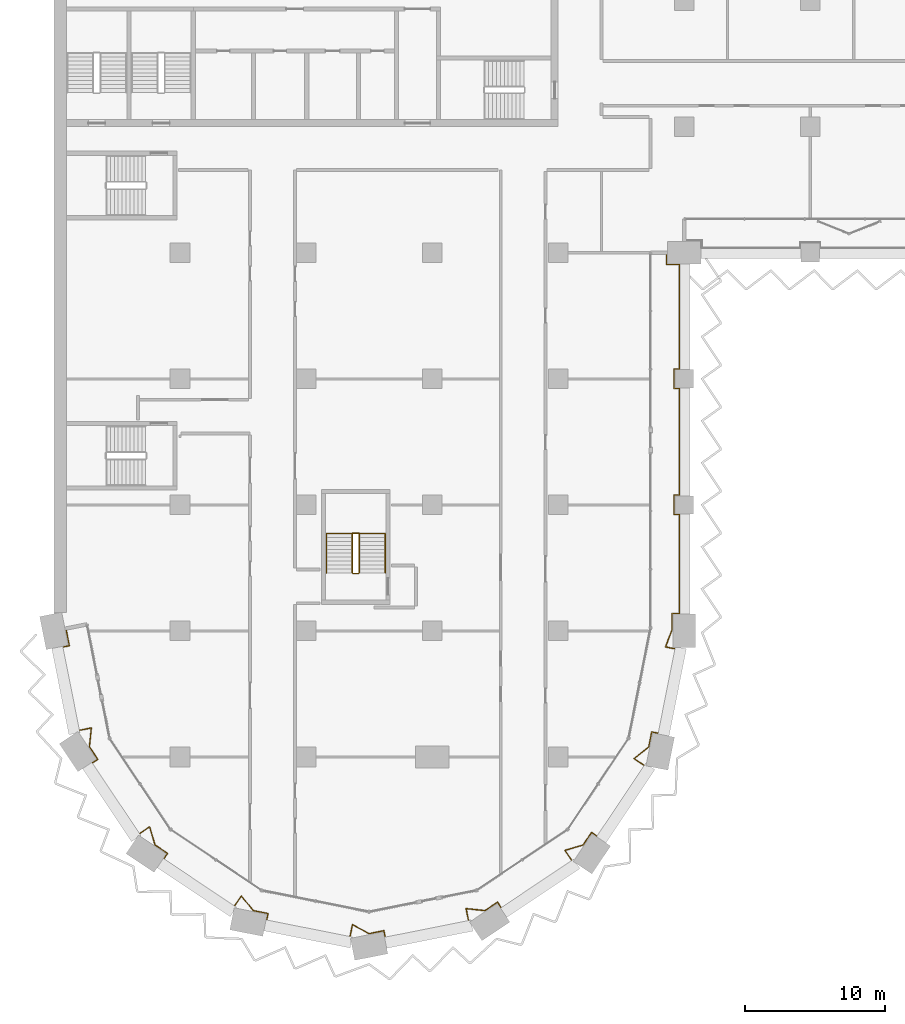
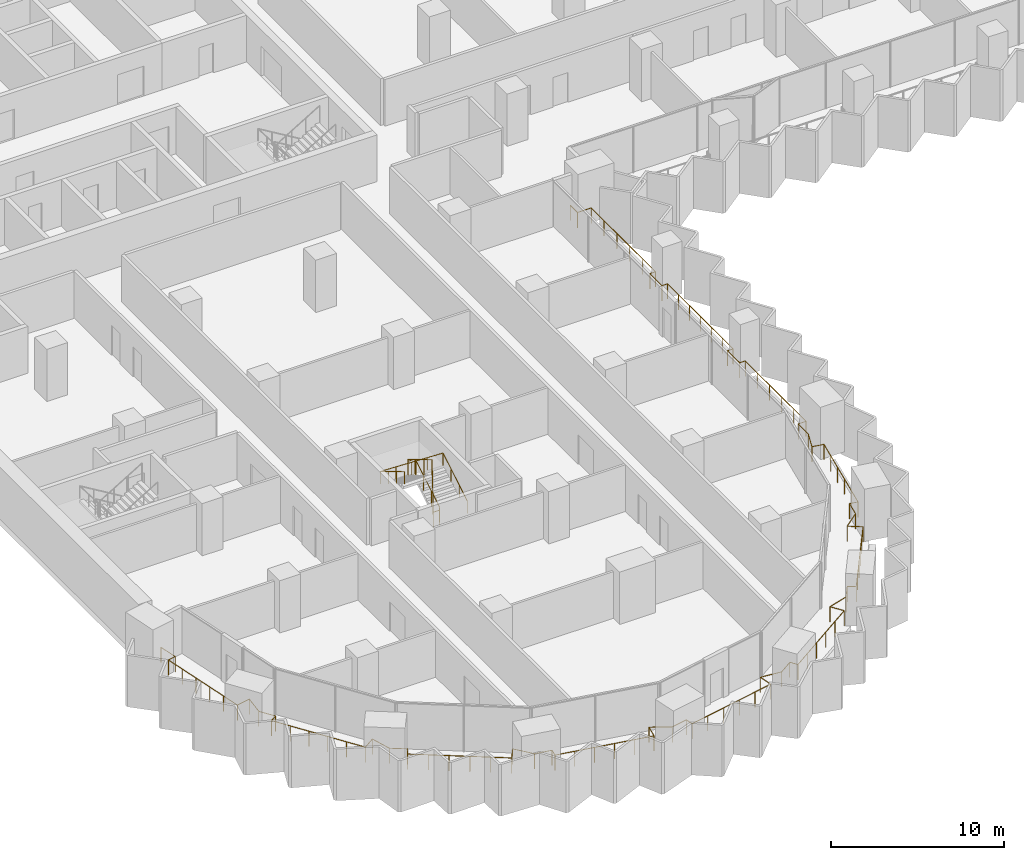
# One storey, part 24 of 28: 3 railings.
"""IFC4 building model written with IfcOpenShell, lengths in metres."""

from ifc_helpers import new_model, si_unit, direction, frame, origin, origin_2d, place, context, subcontext, project, spatial, circle, extrude, material, type_object, element, save


model = new_model("IFC4")

# Units and contexts
model_context = context("Model", 3, precision=1e-05, world=origin(), true_north=direction((0.0, 1.0)))
body_context = subcontext(model_context, "Body", "Model", "MODEL_VIEW")
ifc_project = project(units=[si_unit("LENGTHUNIT", "METRE"), si_unit("AREAUNIT", "SQUARE_METRE"), si_unit("VOLUMEUNIT", "CUBIC_METRE"), si_unit("PLANEANGLEUNIT", "RADIAN"), si_unit("MASSUNIT", "GRAM", prefix="KILO")], contexts=[model_context])

# Site, building, storey
site_placement = place(None, origin())
site = spatial("IfcSite", under=ifc_project, at=site_placement, CompositionType="ELEMENT")
building_placement = place(site_placement, origin())
building = spatial("IfcBuilding", under=site, at=building_placement, Name="Hunhe Ridgeline Campus", CompositionType="ELEMENT")
storey_placement = place(building_placement, frame((0.0, 0.0, 39.5)))
storey = spatial("IfcBuildingStorey", under=building, at=storey_placement, Name="L08", CompositionType="ELEMENT", Elevation=39.5)

# Railings
ifc_material_1 = material(Name="Steel Q355", Category="steel")
railing_type_1 = type_object("IfcRailingType", Name="Loggia guard 1100 Steel Q355", PredefinedType="GUARDRAIL", material=ifc_material_1)
railing_1_placement = place(storey_placement, frame((0.853271484375, 27.169677734375, 0.0)))
element("IfcRailing", 1, at=railing_1_placement, inside=storey, type_object=railing_type_1, Name="Loggia guard 1", PredefinedType="GUARDRAIL", context=body_context, shape_type="SweptSolid", body=[
    extrude(circle(Radius=0.02392578125, at=origin_2d()), frame((0.0, 0.0, 1.076171875), z_axis=(0.195139364365, -0.980775523999, 0.0), x_axis=(0.980775523999, 0.195139364365, 0.0)), (0.0, 0.0, 1.0), 1.249755859375),
    extrude(circle(Radius=0.02392578125, at=origin_2d()), frame((0.243896484375, -1.225830078125, 1.076171875), z_axis=(-0.980742851189, -0.195303506986, 0.0), x_axis=(0.195303506986, -0.980742851189, 0.0)), (0.0, 0.0, 1.0), 0.52001953125),
    extrude(circle(Radius=0.02392578125, at=origin_2d()), frame((-0.26611328125, -1.327392578125, 1.076171875), z_axis=(0.195094074844, -0.980784533912, 0.0), x_axis=(0.980784533912, 0.195094074844, 0.0)), (0.0, 0.0, 1.0), 6.064208984375),
    extrude(circle(Radius=0.02392578125, at=origin_2d()), frame((0.9169921875, -7.275146484375, 1.076171875), z_axis=(0.980774480174, 0.195144610585, 0.0), x_axis=(-0.195144610585, 0.980774480174, 0.0)), (0.0, 0.0, 1.0), 0.918212890625),
    extrude(circle(Radius=0.02392578125, at=origin_2d()), frame((1.817626953125, -7.095947265625, 1.076171875), z_axis=(-0.102578746514, -0.994724886973, 0.0), x_axis=(0.994724886973, -0.102578746514, 0.0)), (0.0, 0.0, 1.0), 1.351806640625),
    extrude(circle(Radius=0.02392578125, at=origin_2d()), frame((1.678955078125, -8.440673828125, 1.076171875), z_axis=(0.555693885997, -0.831386976724, 0.0), x_axis=(0.831386976724, 0.555693885997, 0.0)), (0.0, 0.0, 1.0), 1.076904296875),
    extrude(circle(Radius=0.02392578125, at=origin_2d()), frame((2.27734375, -9.3359375, 1.076171875), z_axis=(-0.831327417949, -0.555782982977, 0.0), x_axis=(0.555782982977, -0.831327417949, 0.0)), (0.0, 0.0, 1.0), 0.52001953125),
    extrude(circle(Radius=0.02392578125, at=origin_2d()), frame((1.844970703125, -9.625, 1.076171875), z_axis=(0.55557319973, -0.831467630002, 0.0), x_axis=(0.831467630002, 0.55557319973, 0.0)), (0.0, 0.0, 1.0), 6.064208984375),
    extrude(circle(Radius=0.02392578125, at=origin_2d()), frame((5.214111328125, -14.667236328125, 1.076171875), z_axis=(0.831395250422, 0.555681507318, 0.0), x_axis=(-0.555681507318, 0.831395250422, 0.0)), (0.0, 0.0, 1.0), 0.918212890625),
    extrude(circle(Radius=0.02392578125, at=origin_2d()), frame((5.9775390625, -14.156982421875, 1.076171875), z_axis=(0.285889499126, -0.958262591511, 0.0), x_axis=(0.958262591511, 0.285889499126, 0.0)), (0.0, 0.0, 1.0), 1.351806640625),
    extrude(circle(Radius=0.02392578125, at=origin_2d()), frame((6.364013671875, -15.452392578125, 1.076171875), z_axis=(0.831456967492, -0.555589156849, 0.0), x_axis=(0.555589156849, 0.831456967492, 0.0)), (0.0, 0.0, 1.0), 1.0771484375),
    extrude(circle(Radius=0.02392578125, at=origin_2d()), frame((7.259521484375, -16.05078125, 1.076171875), z_axis=(-0.555675381322, -0.831399344835, 0.0), x_axis=(0.831399344835, -0.555675381322, 0.0)), (0.0, 0.0, 1.0), 0.519775390625),
    extrude(circle(Radius=0.02392578125, at=origin_2d()), frame((6.970703125, -16.48291015625, 1.076171875), z_axis=(0.831467630002, -0.55557319973, 0.0), x_axis=(0.55557319973, 0.831467630002, 0.0)), (0.0, 0.0, 1.0), 6.064208984375),
    extrude(circle(Radius=0.02392578125, at=origin_2d()), frame((12.012939453125, -19.85205078125, 1.076171875), z_axis=(0.555497688072, 0.831518080709, 0.0), x_axis=(-0.831518080709, 0.555497688072, 0.0)), (0.0, 0.0, 1.0), 0.918212890625),
    extrude(circle(Radius=0.02392578125, at=origin_2d()), frame((12.52294921875, -19.088623046875, 1.076171875), z_axis=(0.630864561128, -0.775892972976, 0.0), x_axis=(0.775892972976, 0.630864561128, 0.0)), (0.0, 0.0, 1.0), 1.351806640625),
    extrude(circle(Radius=0.02392578125, at=origin_2d()), frame((13.375732421875, -20.137451171875, 1.076171875), z_axis=(0.980771998786, -0.195157081339, 0.0), x_axis=(0.195157081339, 0.980771998786, 0.0)), (0.0, 0.0, 1.0), 1.0771484375),
    extrude(circle(Radius=0.02392578125, at=origin_2d()), frame((14.43212890625, -20.34765625, 1.076171875), z_axis=(-0.195303506986, -0.980742851189, 0.0), x_axis=(0.980742851189, -0.195303506986, 0.0)), (0.0, 0.0, 1.0), 0.52001953125),
    extrude(circle(Radius=0.02392578125, at=origin_2d()), frame((14.33056640625, -20.857666015625, 1.076171875), z_axis=(0.980792236535, -0.195055347919, 0.0), x_axis=(0.195055347919, 0.980792236535, 0.0)), (0.0, 0.0, 1.0), 6.064208984375),
    extrude(circle(Radius=0.02392578125, at=origin_2d()), frame((20.2783203125, -22.04052734375, 1.076171875), z_axis=(0.195144610585, 0.980774480174, 0.0), x_axis=(-0.980774480174, 0.195144610585, 0.0)), (0.0, 0.0, 1.0), 0.918212890625),
    extrude(circle(Radius=0.02392578125, at=origin_2d()), frame((20.45751953125, -21.139892578125, 1.076171875), z_axis=(0.879704471732, -0.475520811757, 0.0), x_axis=(0.475520811757, 0.879704471732, 0.0)), (0.0, 0.0, 1.0), 1.351806640625),
    extrude(circle(Radius=0.02392578125, at=origin_2d()), frame((21.646728515625, -21.78271484375, 1.076171875), z_axis=(0.980763363144, 0.195200475189, 0.0), x_axis=(-0.195200475189, 0.980763363144, 0.0)), (0.0, 0.0, 1.0), 1.076904296875),
    extrude(circle(Radius=0.02392578125, at=origin_2d()), frame((22.702880859375, -21.572509765625, 1.076171875), z_axis=(0.195303506986, -0.980742851189, 0.0), x_axis=(0.980742851189, 0.195303506986, 0.0)), (0.0, 0.0, 1.0), 0.52001953125),
    extrude(circle(Radius=0.02392578125, at=origin_2d()), frame((22.804443359375, -22.08251953125, 1.076171875), z_axis=(0.980784533912, 0.195094074844, 0.0), x_axis=(-0.195094074844, 0.980784533912, 0.0)), (0.0, 0.0, 1.0), 6.064208984375),
    extrude(circle(Radius=0.02392578125, at=origin_2d()), frame((28.752197265625, -20.8994140625, 1.076171875), z_axis=(-0.195144610585, 0.980774480174, 0.0), x_axis=(-0.980774480174, -0.195144610585, 0.0)), (0.0, 0.0, 1.0), 0.918212890625),
    extrude(circle(Radius=0.02392578125, at=origin_2d()), frame((28.572998046875, -19.998779296875, 1.076171875), z_axis=(0.994724886973, -0.102578746514, 0.0), x_axis=(0.102578746514, 0.994724886973, 0.0)), (0.0, 0.0, 1.0), 1.351806640625),
    extrude(circle(Radius=0.02392578125, at=origin_2d()), frame((29.917724609375, -20.137451171875, 1.076171875), z_axis=(0.831386976724, 0.555693885997, 0.0), x_axis=(-0.555693885997, 0.831386976724, 0.0)), (0.0, 0.0, 1.0), 1.076904296875),
    extrude(circle(Radius=0.02392578125, at=origin_2d()), frame((30.81298828125, -19.5390625, 1.076171875), z_axis=(0.555782982977, -0.831327417949, 0.0), x_axis=(0.831327417949, 0.555782982977, 0.0)), (0.0, 0.0, 1.0), 0.52001953125),
    extrude(circle(Radius=0.02392578125, at=origin_2d()), frame((31.10205078125, -19.971435546875, 1.076171875), z_axis=(0.831467630002, 0.55557319973, 0.0), x_axis=(-0.55557319973, 0.831467630002, 0.0)), (0.0, 0.0, 1.0), 6.064208984375),
    extrude(circle(Radius=0.02392578125, at=origin_2d()), frame((36.144287109375, -16.602294921875, 1.076171875), z_axis=(-0.555681507318, 0.831395250422, 0.0), x_axis=(-0.831395250422, -0.555681507318, 0.0)), (0.0, 0.0, 1.0), 0.918212890625),
    extrude(circle(Radius=0.02392578125, at=origin_2d()), frame((35.634033203125, -15.8388671875, 1.076171875), z_axis=(0.958262591511, 0.285889499126, 0.0), x_axis=(-0.285889499126, 0.958262591511, 0.0)), (0.0, 0.0, 1.0), 1.351806640625),
    extrude(circle(Radius=0.02392578125, at=origin_2d()), frame((36.929443359375, -15.452392578125, 1.076171875), z_axis=(0.555589156849, 0.831456967492, 0.0), x_axis=(-0.831456967492, 0.555589156849, 0.0)), (0.0, 0.0, 1.0), 1.0771484375),
    extrude(circle(Radius=0.02392578125, at=origin_2d()), frame((37.52783203125, -14.556884765625, 1.076171875), z_axis=(0.831399344835, -0.555675381322, 0.0), x_axis=(0.555675381322, 0.831399344835, 0.0)), (0.0, 0.0, 1.0), 0.519775390625),
    extrude(circle(Radius=0.02392578125, at=origin_2d()), frame((37.9599609375, -14.845703125, 1.076171875), z_axis=(0.55557319973, 0.831467630002, 0.0), x_axis=(-0.831467630002, 0.55557319973, 0.0)), (0.0, 0.0, 1.0), 6.064208984375),
    extrude(circle(Radius=0.02392578125, at=origin_2d()), frame((41.3291015625, -9.803466796875, 1.076171875), z_axis=(-0.831518080709, 0.555497688072, 0.0), x_axis=(-0.555497688072, -0.831518080709, 0.0)), (0.0, 0.0, 1.0), 0.918212890625),
    extrude(circle(Radius=0.02392578125, at=origin_2d()), frame((40.565673828125, -9.29345703125, 1.076171875), z_axis=(0.775892972976, 0.630864561128, 0.0), x_axis=(-0.630864561128, 0.775892972976, 0.0)), (0.0, 0.0, 1.0), 1.351806640625),
    extrude(circle(Radius=0.02392578125, at=origin_2d()), frame((41.614501953125, -8.440673828125, 1.076171875), z_axis=(0.195157081339, 0.980771998786, 0.0), x_axis=(-0.980771998786, 0.195157081339, 0.0)), (0.0, 0.0, 1.0), 1.0771484375),
    extrude(circle(Radius=0.02392578125, at=origin_2d()), frame((41.82470703125, -7.38427734375, 1.076171875), z_axis=(0.980742851189, -0.195303506986, 0.0), x_axis=(0.195303506986, 0.980742851189, 0.0)), (0.0, 0.0, 1.0), 0.52001953125),
    extrude(circle(Radius=0.02392578125, at=origin_2d()), frame((42.334716796875, -7.48583984375, 1.076171875), z_axis=(0.19507712928, 0.980787904509, 0.0), x_axis=(-0.980787904509, 0.19507712928, 0.0)), (0.0, 0.0, 1.0), 6.146240234375),
    extrude(circle(Radius=0.02392578125, at=origin_2d()), frame((43.53369140625, -1.457763671875, 1.076171875), z_axis=(-0.980808789294, 0.194972097602, 0.0), x_axis=(-0.194972097602, -0.980808789294, 0.0)), (0.0, 0.0, 1.0), 0.73876953125),
    extrude(circle(Radius=0.02392578125, at=origin_2d()), frame((42.80908203125, -1.313720703125, 1.076171875), z_axis=(0.35537018301, 0.93472564586, 0.0), x_axis=(-0.93472564586, 0.35537018301, 0.0)), (0.0, 0.0, 1.0), 1.315673828125),
    extrude(circle(Radius=0.02392578125, at=origin_2d()), frame((43.276611328125, -0.083984375, 1.076171875), z_axis=(0.0, 1.0, 0.0), x_axis=(-1.0, 0.0, 0.0)), (0.0, 0.0, 1.0), 1.164306640625),
    extrude(circle(Radius=0.02392578125, at=origin_2d()), frame((43.276611328125, 1.080322265625, 1.076171875), z_axis=(1.0, 0.0, 0.0), x_axis=(0.0, 1.0, 0.0)), (0.0, 0.0, 1.0), 0.52001953125),
    extrude(circle(Radius=0.02392578125, at=origin_2d()), frame((43.796630859375, 1.080322265625, 1.076171875), z_axis=(0.0, 1.0, 0.0), x_axis=(-1.0, 0.0, 0.0)), (0.0, 0.0, 1.0), 7.050048828125),
    extrude(circle(Radius=0.02392578125, at=origin_2d()), frame((43.796630859375, 8.13037109375, 1.076171875), z_axis=(-1.0, 0.0, 0.0), x_axis=(0.0, -1.0, 0.0)), (0.0, 0.0, 1.0), 0.369873046875),
    extrude(circle(Radius=0.02392578125, at=origin_2d()), frame((43.4267578125, 8.13037109375, 1.076171875), z_axis=(0.0, 1.0, 0.0), x_axis=(-1.0, 0.0, 0.0)), (0.0, 0.0, 1.0), 1.39990234375),
    extrude(circle(Radius=0.02392578125, at=origin_2d()), frame((43.4267578125, 9.5302734375, 1.076171875), z_axis=(1.0, 0.0, 0.0), x_axis=(0.0, 1.0, 0.0)), (0.0, 0.0, 1.0), 0.369873046875),
    extrude(circle(Radius=0.02392578125, at=origin_2d()), frame((43.796630859375, 9.5302734375, 1.076171875), z_axis=(0.0, 1.0, 0.0), x_axis=(-1.0, 0.0, 0.0)), (0.0, 0.0, 1.0), 7.60009765625),
    extrude(circle(Radius=0.02392578125, at=origin_2d()), frame((43.796630859375, 17.13037109375, 1.076171875), z_axis=(-1.0, 0.0, 0.0), x_axis=(0.0, -1.0, 0.0)), (0.0, 0.0, 1.0), 0.369873046875),
    extrude(circle(Radius=0.02392578125, at=origin_2d()), frame((43.4267578125, 17.13037109375, 1.076171875), z_axis=(0.0, 1.0, 0.0), x_axis=(-1.0, 0.0, 0.0)), (0.0, 0.0, 1.0), 1.39990234375),
    extrude(circle(Radius=0.02392578125, at=origin_2d()), frame((43.4267578125, 18.5302734375, 1.076171875), z_axis=(1.0, 0.0, 0.0), x_axis=(0.0, 1.0, 0.0)), (0.0, 0.0, 1.0), 0.369873046875),
    extrude(circle(Radius=0.02392578125, at=origin_2d()), frame((43.796630859375, 18.5302734375, 1.076171875), z_axis=(0.0, 1.0, 0.0), x_axis=(-1.0, 0.0, 0.0)), (0.0, 0.0, 1.0), 7.449951171875),
    extrude(circle(Radius=0.02392578125, at=origin_2d()), frame((43.796630859375, 25.980224609375, 1.076171875), z_axis=(-1.0, 0.0, 0.0), x_axis=(0.0, -1.0, 0.0)), (0.0, 0.0, 1.0), 0.919921875),
    extrude(circle(Radius=0.02392578125, at=origin_2d()), frame((42.876708984375, 25.980224609375, 1.076171875), z_axis=(0.0, 1.0, 0.0), x_axis=(-1.0, 0.0, 0.0)), (0.0, 0.0, 1.0), 0.85009765625),
    extrude(circle(Radius=0.02099609375, at=origin_2d()), origin(), (0.0, 0.0, 1.0), 1.052001953125),
    extrude(circle(Radius=0.02099609375, at=origin_2d()), frame((0.243896484375, -1.225830078125, 0.0)), (0.0, 0.0, 1.0), 1.052001953125),
    extrude(circle(Radius=0.02099609375, at=origin_2d()), frame((-0.26611328125, -1.327392578125, 0.0)), (0.0, 0.0, 1.0), 1.052001953125),
    extrude(circle(Radius=0.02099609375, at=origin_2d()), frame((-0.029541015625, -2.516845703125, 0.0)), (0.0, 0.0, 1.0), 1.052001953125),
    extrude(circle(Radius=0.02099609375, at=origin_2d()), frame((0.20703125, -3.70654296875, 0.0)), (0.0, 0.0, 1.0), 1.052001953125),
    extrude(circle(Radius=0.02099609375, at=origin_2d()), frame((0.44384765625, -4.89599609375, 0.0)), (0.0, 0.0, 1.0), 1.052001953125),
    extrude(circle(Radius=0.02099609375, at=origin_2d()), frame((0.680419921875, -6.085693359375, 0.0)), (0.0, 0.0, 1.0), 1.052001953125),
    extrude(circle(Radius=0.02099609375, at=origin_2d()), frame((0.9169921875, -7.275146484375, 0.0)), (0.0, 0.0, 1.0), 1.052001953125),
    extrude(circle(Radius=0.02099609375, at=origin_2d()), frame((1.817626953125, -7.095947265625, 0.0)), (0.0, 0.0, 1.0), 1.052001953125),
    extrude(circle(Radius=0.02099609375, at=origin_2d()), frame((1.678955078125, -8.440673828125, 0.0)), (0.0, 0.0, 1.0), 1.052001953125),
    extrude(circle(Radius=0.02099609375, at=origin_2d()), frame((2.27734375, -9.3359375, 0.0)), (0.0, 0.0, 1.0), 1.052001953125),
    extrude(circle(Radius=0.02099609375, at=origin_2d()), frame((1.844970703125, -9.625, 0.0)), (0.0, 0.0, 1.0), 1.052001953125),
    extrude(circle(Radius=0.02099609375, at=origin_2d()), frame((2.518798828125, -10.633544921875, 0.0)), (0.0, 0.0, 1.0), 1.052001953125),
    extrude(circle(Radius=0.02099609375, at=origin_2d()), frame((3.192626953125, -11.641845703125, 0.0)), (0.0, 0.0, 1.0), 1.052001953125),
    extrude(circle(Radius=0.02099609375, at=origin_2d()), frame((3.866455078125, -12.650390625, 0.0)), (0.0, 0.0, 1.0), 1.052001953125),
    extrude(circle(Radius=0.02099609375, at=origin_2d()), frame((4.540283203125, -13.65869140625, 0.0)), (0.0, 0.0, 1.0), 1.052001953125),
    extrude(circle(Radius=0.02099609375, at=origin_2d()), frame((5.214111328125, -14.667236328125, 0.0)), (0.0, 0.0, 1.0), 1.052001953125),
    extrude(circle(Radius=0.02099609375, at=origin_2d()), frame((5.9775390625, -14.156982421875, 0.0)), (0.0, 0.0, 1.0), 1.052001953125),
    extrude(circle(Radius=0.02099609375, at=origin_2d()), frame((6.364013671875, -15.452392578125, 0.0)), (0.0, 0.0, 1.0), 1.052001953125),
    extrude(circle(Radius=0.02099609375, at=origin_2d()), frame((7.259521484375, -16.05078125, 0.0)), (0.0, 0.0, 1.0), 1.052001953125),
    extrude(circle(Radius=0.02099609375, at=origin_2d()), frame((6.970703125, -16.48291015625, 0.0)), (0.0, 0.0, 1.0), 1.052001953125),
    extrude(circle(Radius=0.02099609375, at=origin_2d()), frame((7.979248046875, -17.15673828125, 0.0)), (0.0, 0.0, 1.0), 1.052001953125),
    extrude(circle(Radius=0.02099609375, at=origin_2d()), frame((8.987548828125, -17.83056640625, 0.0)), (0.0, 0.0, 1.0), 1.052001953125),
    extrude(circle(Radius=0.02099609375, at=origin_2d()), frame((9.99609375, -18.50439453125, 0.0)), (0.0, 0.0, 1.0), 1.052001953125),
    extrude(circle(Radius=0.02099609375, at=origin_2d()), frame((11.00439453125, -19.17822265625, 0.0)), (0.0, 0.0, 1.0), 1.052001953125),
    extrude(circle(Radius=0.02099609375, at=origin_2d()), frame((12.012939453125, -19.85205078125, 0.0)), (0.0, 0.0, 1.0), 1.052001953125),
    extrude(circle(Radius=0.02099609375, at=origin_2d()), frame((12.52294921875, -19.088623046875, 0.0)), (0.0, 0.0, 1.0), 1.052001953125),
    extrude(circle(Radius=0.02099609375, at=origin_2d()), frame((13.375732421875, -20.137451171875, 0.0)), (0.0, 0.0, 1.0), 1.052001953125),
    extrude(circle(Radius=0.02099609375, at=origin_2d()), frame((14.43212890625, -20.34765625, 0.0)), (0.0, 0.0, 1.0), 1.052001953125),
    extrude(circle(Radius=0.02099609375, at=origin_2d()), frame((14.33056640625, -20.857666015625, 0.0)), (0.0, 0.0, 1.0), 1.052001953125),
    extrude(circle(Radius=0.02099609375, at=origin_2d()), frame((15.52001953125, -21.09423828125, 0.0)), (0.0, 0.0, 1.0), 1.052001953125),
    extrude(circle(Radius=0.02099609375, at=origin_2d()), frame((16.709716796875, -21.330810546875, 0.0)), (0.0, 0.0, 1.0), 1.052001953125),
    extrude(circle(Radius=0.02099609375, at=origin_2d()), frame((17.899169921875, -21.5673828125, 0.0)), (0.0, 0.0, 1.0), 1.052001953125),
    extrude(circle(Radius=0.02099609375, at=origin_2d()), frame((19.0888671875, -21.803955078125, 0.0)), (0.0, 0.0, 1.0), 1.052001953125),
    extrude(circle(Radius=0.02099609375, at=origin_2d()), frame((20.2783203125, -22.04052734375, 0.0)), (0.0, 0.0, 1.0), 1.052001953125),
    extrude(circle(Radius=0.02099609375, at=origin_2d()), frame((20.45751953125, -21.139892578125, 0.0)), (0.0, 0.0, 1.0), 1.052001953125),
    extrude(circle(Radius=0.02099609375, at=origin_2d()), frame((21.646728515625, -21.78271484375, 0.0)), (0.0, 0.0, 1.0), 1.052001953125),
    extrude(circle(Radius=0.02099609375, at=origin_2d()), frame((22.702880859375, -21.572509765625, 0.0)), (0.0, 0.0, 1.0), 1.052001953125),
    extrude(circle(Radius=0.02099609375, at=origin_2d()), frame((22.804443359375, -22.08251953125, 0.0)), (0.0, 0.0, 1.0), 1.052001953125),
    extrude(circle(Radius=0.02099609375, at=origin_2d()), frame((23.993896484375, -21.845947265625, 0.0)), (0.0, 0.0, 1.0), 1.052001953125),
    extrude(circle(Radius=0.02099609375, at=origin_2d()), frame((25.18359375, -21.609375, 0.0)), (0.0, 0.0, 1.0), 1.052001953125),
    extrude(circle(Radius=0.02099609375, at=origin_2d()), frame((26.373046875, -21.37255859375, 0.0)), (0.0, 0.0, 1.0), 1.052001953125),
    extrude(circle(Radius=0.02099609375, at=origin_2d()), frame((27.562744140625, -21.135986328125, 0.0)), (0.0, 0.0, 1.0), 1.052001953125),
    extrude(circle(Radius=0.02099609375, at=origin_2d()), frame((28.752197265625, -20.8994140625, 0.0)), (0.0, 0.0, 1.0), 1.052001953125),
    extrude(circle(Radius=0.02099609375, at=origin_2d()), frame((28.572998046875, -19.998779296875, 0.0)), (0.0, 0.0, 1.0), 1.052001953125),
    extrude(circle(Radius=0.02099609375, at=origin_2d()), frame((29.917724609375, -20.137451171875, 0.0)), (0.0, 0.0, 1.0), 1.052001953125),
    extrude(circle(Radius=0.02099609375, at=origin_2d()), frame((30.81298828125, -19.5390625, 0.0)), (0.0, 0.0, 1.0), 1.052001953125),
    extrude(circle(Radius=0.02099609375, at=origin_2d()), frame((31.10205078125, -19.971435546875, 0.0)), (0.0, 0.0, 1.0), 1.052001953125),
    extrude(circle(Radius=0.02099609375, at=origin_2d()), frame((32.110595703125, -19.297607421875, 0.0)), (0.0, 0.0, 1.0), 1.052001953125),
    extrude(circle(Radius=0.02099609375, at=origin_2d()), frame((33.118896484375, -18.623779296875, 0.0)), (0.0, 0.0, 1.0), 1.052001953125),
    extrude(circle(Radius=0.02099609375, at=origin_2d()), frame((34.12744140625, -17.949951171875, 0.0)), (0.0, 0.0, 1.0), 1.052001953125),
    extrude(circle(Radius=0.02099609375, at=origin_2d()), frame((35.1357421875, -17.276123046875, 0.0)), (0.0, 0.0, 1.0), 1.052001953125),
    extrude(circle(Radius=0.02099609375, at=origin_2d()), frame((36.144287109375, -16.602294921875, 0.0)), (0.0, 0.0, 1.0), 1.052001953125),
    extrude(circle(Radius=0.02099609375, at=origin_2d()), frame((35.634033203125, -15.8388671875, 0.0)), (0.0, 0.0, 1.0), 1.052001953125),
    extrude(circle(Radius=0.02099609375, at=origin_2d()), frame((36.929443359375, -15.452392578125, 0.0)), (0.0, 0.0, 1.0), 1.052001953125),
    extrude(circle(Radius=0.02099609375, at=origin_2d()), frame((37.52783203125, -14.556884765625, 0.0)), (0.0, 0.0, 1.0), 1.052001953125),
    extrude(circle(Radius=0.02099609375, at=origin_2d()), frame((37.9599609375, -14.845703125, 0.0)), (0.0, 0.0, 1.0), 1.052001953125),
    extrude(circle(Radius=0.02099609375, at=origin_2d()), frame((38.6337890625, -13.837158203125, 0.0)), (0.0, 0.0, 1.0), 1.052001953125),
    extrude(circle(Radius=0.02099609375, at=origin_2d()), frame((39.3076171875, -12.828857421875, 0.0)), (0.0, 0.0, 1.0), 1.052001953125),
    extrude(circle(Radius=0.02099609375, at=origin_2d()), frame((39.9814453125, -11.8203125, 0.0)), (0.0, 0.0, 1.0), 1.052001953125),
    extrude(circle(Radius=0.02099609375, at=origin_2d()), frame((40.6552734375, -10.81201171875, 0.0)), (0.0, 0.0, 1.0), 1.052001953125),
    extrude(circle(Radius=0.02099609375, at=origin_2d()), frame((41.3291015625, -9.803466796875, 0.0)), (0.0, 0.0, 1.0), 1.052001953125),
    extrude(circle(Radius=0.02099609375, at=origin_2d()), frame((40.565673828125, -9.29345703125, 0.0)), (0.0, 0.0, 1.0), 1.052001953125),
    extrude(circle(Radius=0.02099609375, at=origin_2d()), frame((41.614501953125, -8.440673828125, 0.0)), (0.0, 0.0, 1.0), 1.052001953125),
    extrude(circle(Radius=0.02099609375, at=origin_2d()), frame((41.82470703125, -7.38427734375, 0.0)), (0.0, 0.0, 1.0), 1.052001953125),
    extrude(circle(Radius=0.02099609375, at=origin_2d()), frame((42.334716796875, -7.48583984375, 0.0)), (0.0, 0.0, 1.0), 1.052001953125),
    extrude(circle(Radius=0.02099609375, at=origin_2d()), frame((42.574462890625, -6.2802734375, 0.0)), (0.0, 0.0, 1.0), 1.052001953125),
    extrude(circle(Radius=0.02099609375, at=origin_2d()), frame((42.814208984375, -5.07470703125, 0.0)), (0.0, 0.0, 1.0), 1.052001953125),
    extrude(circle(Radius=0.02099609375, at=origin_2d()), frame((43.05419921875, -3.868896484375, 0.0)), (0.0, 0.0, 1.0), 1.052001953125),
    extrude(circle(Radius=0.02099609375, at=origin_2d()), frame((43.2939453125, -2.663330078125, 0.0)), (0.0, 0.0, 1.0), 1.052001953125),
    extrude(circle(Radius=0.02099609375, at=origin_2d()), frame((43.53369140625, -1.457763671875, 0.0)), (0.0, 0.0, 1.0), 1.052001953125),
    extrude(circle(Radius=0.02099609375, at=origin_2d()), frame((42.80908203125, -1.313720703125, 0.0)), (0.0, 0.0, 1.0), 1.052001953125),
    extrude(circle(Radius=0.02099609375, at=origin_2d()), frame((43.276611328125, -0.083984375, 0.0)), (0.0, 0.0, 1.0), 1.052001953125),
    extrude(circle(Radius=0.02099609375, at=origin_2d()), frame((43.276611328125, 1.080322265625, 0.0)), (0.0, 0.0, 1.0), 1.052001953125),
    extrude(circle(Radius=0.02099609375, at=origin_2d()), frame((43.796630859375, 1.080322265625, 0.0)), (0.0, 0.0, 1.0), 1.052001953125),
    extrude(circle(Radius=0.02099609375, at=origin_2d()), frame((43.796630859375, 2.490234375, 0.0)), (0.0, 0.0, 1.0), 1.052001953125),
    extrude(circle(Radius=0.02099609375, at=origin_2d()), frame((43.796630859375, 3.900390625, 0.0)), (0.0, 0.0, 1.0), 1.052001953125),
    extrude(circle(Radius=0.02099609375, at=origin_2d()), frame((43.796630859375, 5.310302734375, 0.0)), (0.0, 0.0, 1.0), 1.052001953125),
    extrude(circle(Radius=0.02099609375, at=origin_2d()), frame((43.796630859375, 6.720458984375, 0.0)), (0.0, 0.0, 1.0), 1.052001953125),
    extrude(circle(Radius=0.02099609375, at=origin_2d()), frame((43.796630859375, 8.13037109375, 0.0)), (0.0, 0.0, 1.0), 1.052001953125),
    extrude(circle(Radius=0.02099609375, at=origin_2d()), frame((43.4267578125, 8.13037109375, 0.0)), (0.0, 0.0, 1.0), 1.052001953125),
    extrude(circle(Radius=0.02099609375, at=origin_2d()), frame((43.4267578125, 9.5302734375, 0.0)), (0.0, 0.0, 1.0), 1.052001953125),
    extrude(circle(Radius=0.02099609375, at=origin_2d()), frame((43.796630859375, 9.5302734375, 0.0)), (0.0, 0.0, 1.0), 1.052001953125),
    extrude(circle(Radius=0.02099609375, at=origin_2d()), frame((43.796630859375, 10.796875, 0.0)), (0.0, 0.0, 1.0), 1.052001953125),
    extrude(circle(Radius=0.02099609375, at=origin_2d()), frame((43.796630859375, 12.063720703125, 0.0)), (0.0, 0.0, 1.0), 1.052001953125),
    extrude(circle(Radius=0.02099609375, at=origin_2d()), frame((43.796630859375, 13.330322265625, 0.0)), (0.0, 0.0, 1.0), 1.052001953125),
    extrude(circle(Radius=0.02099609375, at=origin_2d()), frame((43.796630859375, 14.596923828125, 0.0)), (0.0, 0.0, 1.0), 1.052001953125),
    extrude(circle(Radius=0.02099609375, at=origin_2d()), frame((43.796630859375, 15.86376953125, 0.0)), (0.0, 0.0, 1.0), 1.052001953125),
    extrude(circle(Radius=0.02099609375, at=origin_2d()), frame((43.796630859375, 17.13037109375, 0.0)), (0.0, 0.0, 1.0), 1.052001953125),
    extrude(circle(Radius=0.02099609375, at=origin_2d()), frame((43.4267578125, 17.13037109375, 0.0)), (0.0, 0.0, 1.0), 1.052001953125),
    extrude(circle(Radius=0.02099609375, at=origin_2d()), frame((43.4267578125, 18.5302734375, 0.0)), (0.0, 0.0, 1.0), 1.052001953125),
    extrude(circle(Radius=0.02099609375, at=origin_2d()), frame((43.796630859375, 18.5302734375, 0.0)), (0.0, 0.0, 1.0), 1.052001953125),
    extrude(circle(Radius=0.02099609375, at=origin_2d()), frame((43.796630859375, 20.020263671875, 0.0)), (0.0, 0.0, 1.0), 1.052001953125),
    extrude(circle(Radius=0.02099609375, at=origin_2d()), frame((43.796630859375, 21.51025390625, 0.0)), (0.0, 0.0, 1.0), 1.052001953125),
    extrude(circle(Radius=0.02099609375, at=origin_2d()), frame((43.796630859375, 23.000244140625, 0.0)), (0.0, 0.0, 1.0), 1.052001953125),
    extrude(circle(Radius=0.02099609375, at=origin_2d()), frame((43.796630859375, 24.490234375, 0.0)), (0.0, 0.0, 1.0), 1.052001953125),
    extrude(circle(Radius=0.02099609375, at=origin_2d()), frame((43.796630859375, 25.980224609375, 0.0)), (0.0, 0.0, 1.0), 1.052001953125),
    extrude(circle(Radius=0.02099609375, at=origin_2d()), frame((42.876708984375, 25.980224609375, 0.0)), (0.0, 0.0, 1.0), 1.052001953125),
    extrude(circle(Radius=0.02099609375, at=origin_2d()), frame((42.876708984375, 26.830322265625, 0.0)), (0.0, 0.0, 1.0), 1.052001953125),
])
ifc_material_2 = material(Name="Stainless steel balustrade", Category="steel")
railing_type_2 = type_object("IfcRailingType", Name="Stair guard 1100 stainless", PredefinedType="GUARDRAIL", material=ifc_material_2)
railing_2_placement = place(storey_placement, frame((21.800048828125, 31.14990234375, 0.168212890625)))
element("IfcRailing", 2, at=railing_2_placement, inside=storey, type_object=railing_type_2, Name="L08 stair W3 guard", PredefinedType="GUARDRAIL", context=body_context, shape_type="SweptSolid", body=[
    extrude(circle(Radius=0.02392578125, at=origin_2d()), frame((0.0, 0.0, 1.076171875), z_axis=(0.0, 0.857242210791, 0.514913383045), x_axis=(-1.0, 0.0, 0.0)), (0.0, 0.0, 1.0), 3.266357421875),
    extrude(circle(Radius=0.02392578125, at=origin_2d()), frame((0.0, 2.800048828125, 2.7578125), z_axis=(-0.707106781187, 0.707106781187, 0.0), x_axis=(-0.707106781187, -0.707106781187, 0.0)), (0.0, 0.0, 1.0), 0.07080078125),
    extrude(circle(Radius=0.02392578125, at=origin_2d()), frame((-0.050048828125, 2.85009765625, 2.7578125), z_axis=(-1.0, 0.0, 0.0), x_axis=(0.0, -1.0, 0.0)), (0.0, 0.0, 1.0), 0.39990234375),
    extrude(circle(Radius=0.02392578125, at=origin_2d()), frame((-0.449951171875, 2.85009765625, 2.7578125), z_axis=(-0.274582412415, -0.274582412415, 0.921525364591), x_axis=(0.707106781187, -0.707106781187, 0.0)), (0.0, 0.0, 1.0), 0.182373046875),
    extrude(circle(Radius=0.02392578125, at=origin_2d()), frame((-0.5, 2.800048828125, 2.92578125), z_axis=(0.0, -0.857242210791, 0.514913383045), x_axis=(1.0, 0.0, 0.0)), (0.0, 0.0, 1.0), 3.266357421875),
    extrude(circle(Radius=0.02392578125, at=origin_2d()), frame((-0.5, 0.0, 4.60791015625), z_axis=(0.013524426427, -0.013458453615, -0.999817963389), x_axis=(0.705375805398, 0.708833529934, 0.0)), (0.0, 0.0, 1.0), 3.70068359375),
    extrude(circle(Radius=0.02392578125, at=origin_2d()), frame((-0.449951171875, -0.0498046875, 0.90771484375), z_axis=(1.0, 0.0, 0.0), x_axis=(0.0, 1.0, 0.0)), (0.0, 0.0, 1.0), 0.39990234375),
    extrude(circle(Radius=0.02099609375, at=origin_2d()), origin(), (0.0, 0.0, 1.0), 1.052001953125),
    extrude(circle(Radius=0.02099609375, at=origin_2d()), frame((0.0, 0.933349609375, 0.560546875)), (0.0, 0.0, 1.0), 1.052001953125),
    extrude(circle(Radius=0.02099609375, at=origin_2d()), frame((0.0, 1.86669921875, 1.121337890625)), (0.0, 0.0, 1.0), 1.052001953125),
    extrude(circle(Radius=0.02099609375, at=origin_2d()), frame((0.0, 2.800048828125, 1.681884765625)), (0.0, 0.0, 1.0), 1.052001953125),
    extrude(circle(Radius=0.02099609375, at=origin_2d()), frame((-0.050048828125, 2.85009765625, 1.681884765625)), (0.0, 0.0, 1.0), 1.052001953125),
    extrude(circle(Radius=0.02099609375, at=origin_2d()), frame((-0.449951171875, 2.85009765625, 1.681884765625)), (0.0, 0.0, 1.0), 1.052001953125),
    extrude(circle(Radius=0.02099609375, at=origin_2d()), frame((-0.5, 2.800048828125, 1.849853515625)), (0.0, 0.0, 1.0), 1.052001953125),
    extrude(circle(Radius=0.02099609375, at=origin_2d()), frame((-0.5, 1.86669921875, 2.410400390625)), (0.0, 0.0, 1.0), 1.052001953125),
    extrude(circle(Radius=0.02099609375, at=origin_2d()), frame((-0.5, 0.933349609375, 2.97119140625)), (0.0, 0.0, 1.0), 1.052001953125),
    extrude(circle(Radius=0.02099609375, at=origin_2d()), frame((-0.5, 0.0, 3.53173828125)), (0.0, 0.0, 1.0), 1.052001953125),
    extrude(circle(Radius=0.02099609375, at=origin_2d()), frame((-0.487548828125, -0.012451171875, 2.606689453125)), (0.0, 0.0, 1.0), 1.052001953125),
    extrude(circle(Radius=0.02099609375, at=origin_2d()), frame((-0.47509765625, -0.02490234375, 1.681640625)), (0.0, 0.0, 1.0), 1.052001953125),
    extrude(circle(Radius=0.02099609375, at=origin_2d()), frame((-0.46240234375, -0.037353515625, 0.7568359375)), (0.0, 0.0, 1.0), 1.052001953125),
    extrude(circle(Radius=0.02099609375, at=origin_2d()), frame((-0.449951171875, -0.0498046875, -0.168212890625)), (0.0, 0.0, 1.0), 1.052001953125),
    extrude(circle(Radius=0.02099609375, at=origin_2d()), frame((-0.050048828125, -0.0498046875, -0.168212890625)), (0.0, 0.0, 1.0), 1.052001953125),
])
ifc_material_3 = material(Name="Stainless steel handrail", Category="steel")
railing_type_3 = type_object("IfcRailingType", Name="Stair handrail 900 stainless", PredefinedType="HANDRAIL", material=ifc_material_3)
railing_3_placement = place(storey_placement, frame((23.64990234375, 31.14990234375, 0.168212890625)))
element("IfcRailing", 3, at=railing_3_placement, inside=storey, type_object=railing_type_3, Name="L08 stair W3 handrail", PredefinedType="HANDRAIL", context=body_context, shape_type="SweptSolid", body=[
    extrude(circle(Radius=0.02392578125, at=origin_2d()), frame((0.0, 0.0, 0.8759765625), z_axis=(0.0, 0.857242210791, 0.514913383045), x_axis=(-1.0, 0.0, 0.0)), (0.0, 0.0, 1.0), 3.266357421875),
    extrude(circle(Radius=0.02392578125, at=origin_2d()), frame((0.0, 2.800048828125, 2.5576171875), z_axis=(-0.99920123705, 0.0, 0.039961079526), x_axis=(0.0, -1.0, 0.0)), (0.0, 0.0, 1.0), 4.203369140625),
    extrude(circle(Radius=0.02392578125, at=origin_2d()), frame((-4.199951171875, 2.800048828125, 2.7255859375), z_axis=(0.0, -0.857242210791, 0.514913383045), x_axis=(1.0, 0.0, 0.0)), (0.0, 0.0, 1.0), 3.266357421875),
    extrude(circle(Radius=0.02099609375, at=origin_2d()), origin(), (0.0, 0.0, 1.0), 0.851806640625),
    extrude(circle(Radius=0.02099609375, at=origin_2d()), frame((0.0, 0.933349609375, 0.560546875)), (0.0, 0.0, 1.0), 0.851806640625),
    extrude(circle(Radius=0.02099609375, at=origin_2d()), frame((0.0, 1.86669921875, 1.121337890625)), (0.0, 0.0, 1.0), 0.851806640625),
    extrude(circle(Radius=0.02099609375, at=origin_2d()), frame((0.0, 2.800048828125, 1.681884765625)), (0.0, 0.0, 1.0), 0.851806640625),
    extrude(circle(Radius=0.02099609375, at=origin_2d()), frame((-1.050048828125, 2.800048828125, 1.723876953125)), (0.0, 0.0, 1.0), 0.851806640625),
    extrude(circle(Radius=0.02099609375, at=origin_2d()), frame((-2.10009765625, 2.800048828125, 1.765869140625)), (0.0, 0.0, 1.0), 0.851806640625),
    extrude(circle(Radius=0.02099609375, at=origin_2d()), frame((-3.14990234375, 2.800048828125, 1.807861328125)), (0.0, 0.0, 1.0), 0.851806640625),
    extrude(circle(Radius=0.02099609375, at=origin_2d()), frame((-4.199951171875, 2.800048828125, 1.849853515625)), (0.0, 0.0, 1.0), 0.851806640625),
    extrude(circle(Radius=0.02099609375, at=origin_2d()), frame((-4.199951171875, 1.86669921875, 2.410400390625)), (0.0, 0.0, 1.0), 0.851806640625),
    extrude(circle(Radius=0.02099609375, at=origin_2d()), frame((-4.199951171875, 0.933349609375, 2.97119140625)), (0.0, 0.0, 1.0), 0.851806640625),
    extrude(circle(Radius=0.02099609375, at=origin_2d()), frame((-4.199951171875, 0.0, 3.53173828125)), (0.0, 0.0, 1.0), 0.851806640625),
])

save(model, "model.ifc")
